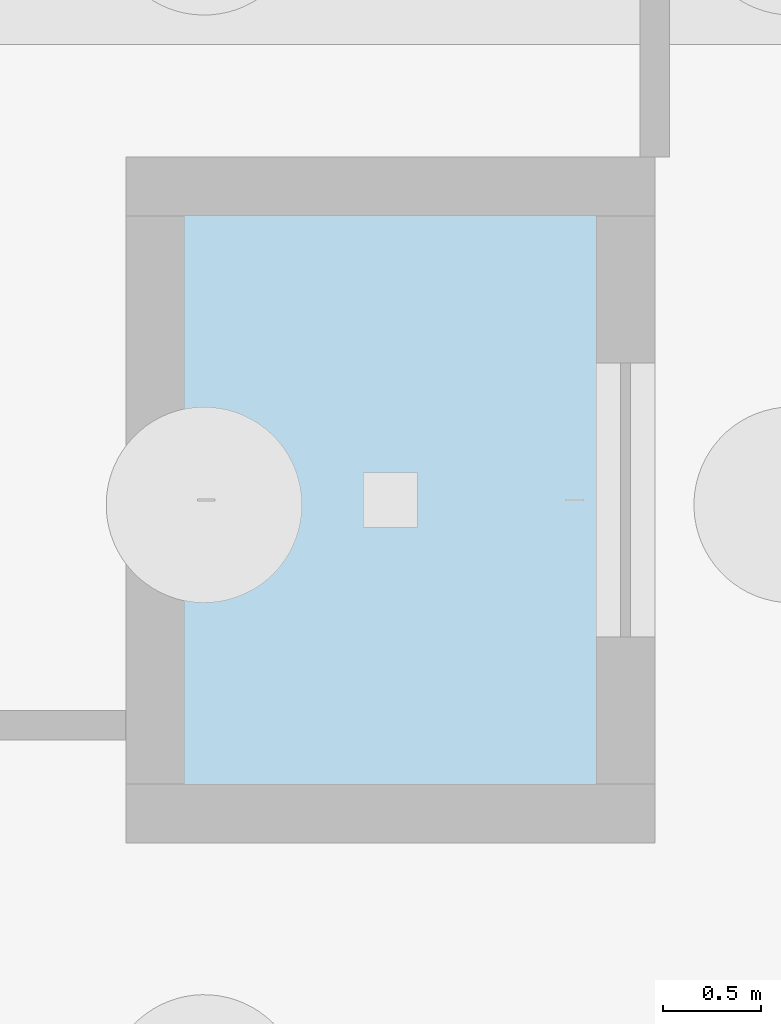
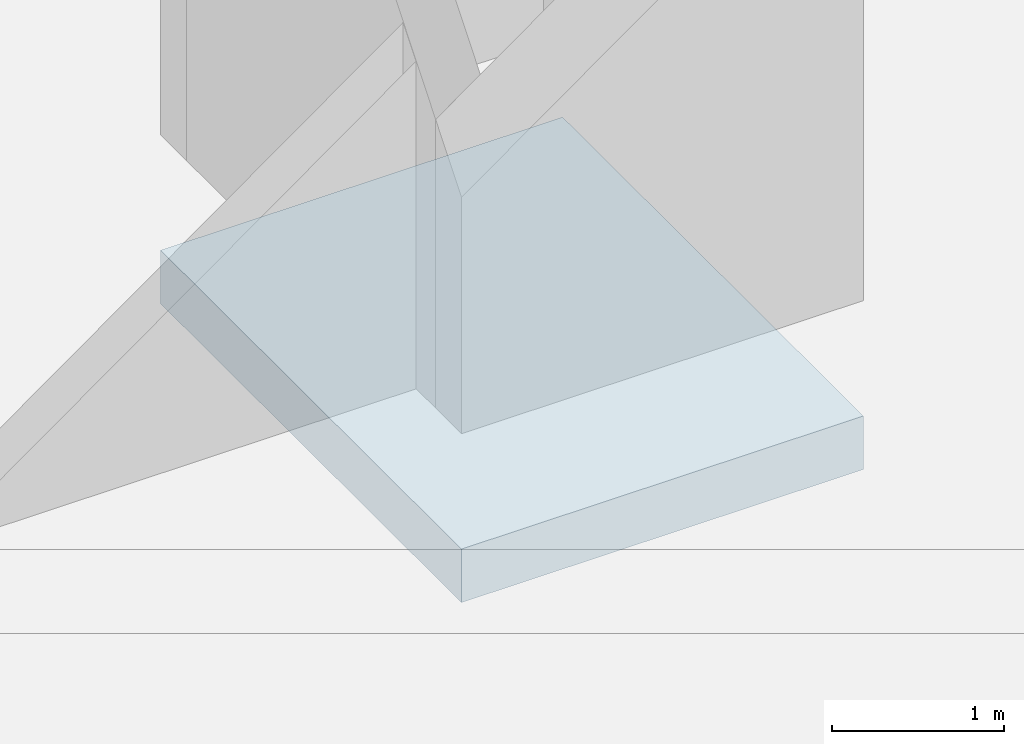
# One storey, part 15 of 44: 1 slab.
"""IFC4 building model written with IfcOpenShell, lengths in metres."""

from ifc_helpers import new_model, si_unit, direction, frame, origin, place, context, subcontext, project, spatial, polyline, outline, extrude, material, layer, layer_set, type_object, element, save


model = new_model("IFC4")

# Units and contexts
model_context = context("Model", 3, precision=1e-05, world=origin(), true_north=direction((0.0, 1.0)))
body_context = subcontext(model_context, "Body", "Model", "MODEL_VIEW")
ifc_project = project(units=[si_unit("LENGTHUNIT", "METRE"), si_unit("AREAUNIT", "SQUARE_METRE"), si_unit("VOLUMEUNIT", "CUBIC_METRE"), si_unit("PLANEANGLEUNIT", "RADIAN"), si_unit("MASSUNIT", "GRAM", prefix="KILO")], contexts=[model_context])

# Site, building, storey
site_placement = place(None, origin())
site = spatial("IfcSite", under=ifc_project, at=site_placement, CompositionType="ELEMENT")
building_placement = place(site_placement, origin())
building = spatial("IfcBuilding", under=site, at=building_placement, Name="Kolvaren Faculty of Natural Sciences", CompositionType="ELEMENT")
storey_placement = place(building_placement, frame((0.0, 0.0, -4.5)))
storey = spatial("IfcBuildingStorey", under=building, at=storey_placement, Name="B01", CompositionType="ELEMENT", Elevation=-4.5)

# Slab
ifc_material = material(Name="Concrete C35/45", Category="concrete")
ifc_layer = layer(ifc_material, 0.3798828125)
ifc_layer_set = layer_set([ifc_layer], Name="Concrete C35/45")
slab_type = type_object("IfcSlabType", Name="LiftPitSlab_380", PredefinedType="BASESLAB", material=ifc_layer_set)
slab_placement = place(storey_placement, frame((0.0, 0.0, -1.199951171875)))
element("IfcSlab", 1, at=slab_placement, inside=storey, type_object=slab_type, Name="Lift GL-1 reinforced concrete pit base slab", PredefinedType="BASESLAB", context=body_context, shape_type="SweptSolid", body=[
    extrude(outline(polyline([(120.800048828125, 29.5), (123.5, 29.5), (123.5, 33.0), (120.800048828125, 33.0), (120.800048828125, 29.5)])), origin(), (0.0, 0.0, 1.0), 0.3798828125),
])

save(model, "model.ifc")
